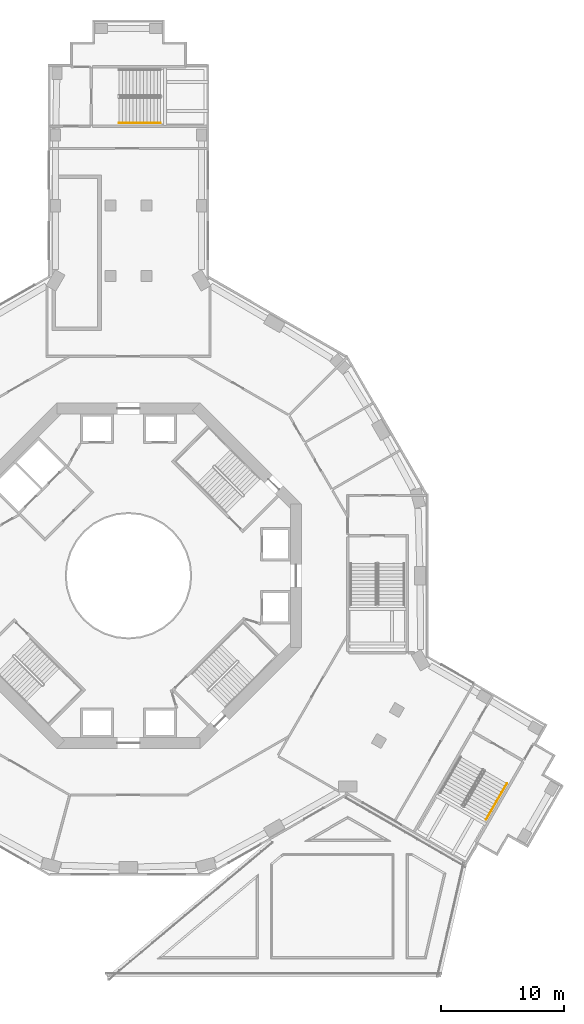
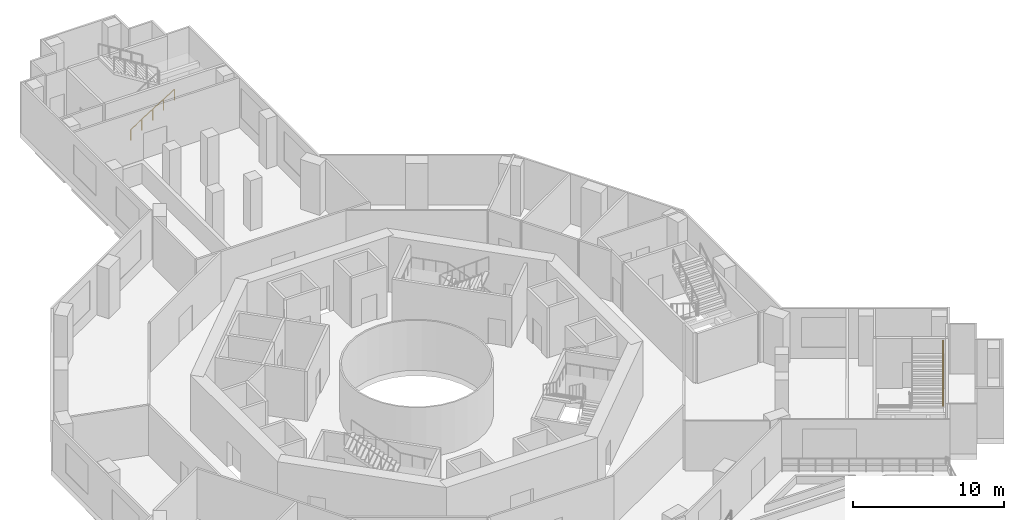
# One storey, part 20 of 21: 2 railings.
"""IFC4 building model written with IfcOpenShell, lengths in metres."""

import ifcopenshell
import ifcopenshell.guid

model = None  # the IFC model being written
_history = None  # IfcOwnerHistory: only IFC2X3 demands one
_inside = {}  # id of a spatial element -> (the spatial element, [elements in it])
_under = {}  # id of a project, library or spatial element -> (it, [spatial elements below it])
_declared = {}  # id of a project -> (the project, [libraries it declares])
_typed = {}  # id of a type object -> (the type object, [elements of that type])
_made_of = {}  # id of a material, layer set ... -> (it, [elements and type objects made of it])


def new_model(schema):
    """Start an empty IFC model of exactly this schema.

    Asked for "IFC4X3", IfcOpenShell would pick the latest addendum, in which some entities
    have other attributes; the version numbers below select the first issue.
    IFC2X3 requires an IfcOwnerHistory on every rooted entity: one is made here for all.
    """
    global model, _history
    if schema == "IFC4X3":
        model = ifcopenshell.file(schema_version=(4, 3, 0, 0))
    else:
        model = ifcopenshell.file(schema=schema)
    _inside.clear()
    _under.clear()
    _declared.clear()
    _typed.clear()
    _made_of.clear()
    _history = None
    if model.schema == "IFC2X3":
        org = make("IfcOrganization", Name="unknown")
        user = make(
            "IfcPersonAndOrganization",
            ThePerson=make("IfcPerson", FamilyName="unknown"),
            TheOrganization=org,
        )
        app = make(
            "IfcApplication",
            ApplicationDeveloper=org,
            Version="unknown",
            ApplicationFullName="unknown",
            ApplicationIdentifier="unknown",
        )
        _history = make(
            "IfcOwnerHistory",
            OwningUser=user,
            OwningApplication=app,
            ChangeAction="ADDED",
            CreationDate=0,
        )
    return model


def make(cls, **values):
    """One entity of the class cls with the attributes given. An attribute that is None is left unset."""
    return model.create_entity(
        cls, **{name: value for name, value in values.items() if value is not None}
    )


def rooted(cls, **values):
    """An entity with a GlobalId (a new one), such as an element, a storey or a relation."""
    return make(cls, GlobalId=ifcopenshell.guid.new(), OwnerHistory=_history, **values)


def si_unit(unit_type, name, prefix=None):
    """IfcSIUnit, for example si_unit("LENGTHUNIT", "METRE", prefix="MILLI")."""
    return make("IfcSIUnit", UnitType=unit_type, Prefix=prefix, Name=name)


def assignment(units):
    """IfcUnitAssignment: the units of a project."""
    return None if units is None else make("IfcUnitAssignment", Units=units)


def point(xyz):
    """IfcCartesianPoint."""
    return None if xyz is None else make("IfcCartesianPoint", Coordinates=xyz)


def direction(xyz):
    """IfcDirection."""
    return None if xyz is None else make("IfcDirection", DirectionRatios=xyz)


def frame(location, z_axis=None, x_axis=None):
    """IfcAxis2Placement3D, a coordinate frame: its origin and axes. An axis left out is left unset."""
    return make(
        "IfcAxis2Placement3D",
        Location=point(location),
        Axis=direction(z_axis),
        RefDirection=direction(x_axis),
    )


def frame_2d(location, x_axis=None):
    """IfcAxis2Placement2D, a coordinate frame in the plane: its origin and x axis."""
    return make(
        "IfcAxis2Placement2D", Location=point(location), RefDirection=direction(x_axis)
    )


def origin():
    """The frame at (0, 0, 0) with its axes left unset."""
    return frame((0.0, 0.0, 0.0))


def origin_2d():
    """The frame at (0, 0) in the plane with its x axis left unset."""
    return frame_2d((0.0, 0.0))


def place(relative_to, where):
    """IfcLocalPlacement: puts the frame where relative to a parent placement (None: the world)."""
    return make(
        "IfcLocalPlacement", PlacementRelTo=relative_to, RelativePlacement=where
    )


def context(
    kind, dimensions, precision=None, world=None, true_north=None, identifier=None
):
    """IfcGeometricRepresentationContext, for example the 3D "Model" context."""
    return make(
        "IfcGeometricRepresentationContext",
        ContextIdentifier=identifier,
        ContextType=kind,
        CoordinateSpaceDimension=dimensions,
        Precision=precision,
        WorldCoordinateSystem=world,
        TrueNorth=true_north,
    )


def subcontext(parent, identifier, kind, view, scale=None):
    """IfcGeometricRepresentationSubContext, for example "Body" below "Model"."""
    return make(
        "IfcGeometricRepresentationSubContext",
        ContextIdentifier=identifier,
        ContextType=kind,
        ParentContext=parent,
        TargetScale=scale,
        TargetView=view,
    )


def project(units=None, contexts=None):
    """IfcProject with its units and contexts."""
    return rooted(
        "IfcProject",
        Name="project",
        RepresentationContexts=contexts,
        UnitsInContext=assignment(units),
    )


def spatial(cls, under=None, at=None, **own):
    """A site, building, storey or space (cls), placed at a placement, below another one or the project."""
    s = rooted(cls, ObjectPlacement=at, **own)
    if under is not None:
        _under.setdefault(under.id(), (under, []))[1].append(s)
    return s


def profile(cls, at=None, kind="AREA", **sizes):
    """A parametric profile (cls). Its sizes go by their IFC names, for example OverallWidth=200.0."""
    return make(cls, ProfileType=kind, Position=at, **sizes)


def circle(**sizes):
    """IfcCircleProfileDef."""
    return profile("IfcCircleProfileDef", **sizes)


def extrude(swept, where, along, depth):
    """IfcExtrudedAreaSolid: the profile swept, set in the frame where, extruded along a direction by depth."""
    return make(
        "IfcExtrudedAreaSolid",
        SweptArea=swept,
        Position=where,
        ExtrudedDirection=direction(along),
        Depth=depth,
    )


def shape(context_of_items, identifier, shape_type, items):
    """IfcShapeRepresentation: the items that make up one representation, for example the "Body"."""
    return make(
        "IfcShapeRepresentation",
        ContextOfItems=context_of_items,
        RepresentationIdentifier=identifier,
        RepresentationType=shape_type,
        Items=items,
    )


def material(Name=None, Category=None):
    """IfcMaterial."""
    return make("IfcMaterial", Name=Name, Category=Category)


def made_of(thing, what):
    """Note that an element or type object is made of a material, layer set ...; save() writes the relation."""
    if what is not None:
        _made_of.setdefault(what.id(), (what, []))[1].append(thing)
    return thing


def type_object(cls, material=None, **own):
    """A type object (cls), such as IfcWallType, which elements share."""
    return made_of(rooted(cls, **own), material)


def element(
    cls,
    number,
    at=None,
    inside=None,
    cuts=None,
    type_object=None,
    material=None,
    context=None,
    identifier="Body",
    shape_type=None,
    held_by="IfcProductDefinitionShape",
    body=None,
    shapes=None,
    **own,
):
    """One element of the class cls, such as IfcWall. Its Tag is "e" and its number.

    at: its placement. inside: the storey or other place that contains it. cuts: it is an
    opening in that element (IfcRelVoidsElement). A single representation is given by context,
    identifier, shape_type and body (its items); several are given by shapes. held_by: the class
    of the entity that holds the representations. save() writes the other relations.
    """
    e = rooted(cls, Tag="e%d" % number, ObjectPlacement=at, **own)
    if body is not None:
        shapes = [shape(context, identifier, shape_type, body)]
    if shapes is not None:
        e.Representation = make(held_by, Representations=shapes)
    if inside is not None:
        _inside.setdefault(inside.id(), (inside, []))[1].append(e)
    if cuts is not None:
        rooted(
            "IfcRelVoidsElement", RelatingBuildingElement=cuts, RelatedOpeningElement=e
        )
    if type_object is not None:
        _typed.setdefault(type_object.id(), (type_object, []))[1].append(e)
    return made_of(e, material)


def aggregate(whole, parts):
    """IfcRelAggregates: a whole, such as a stair, and the parts it consists of."""
    return rooted("IfcRelAggregates", RelatingObject=whole, RelatedObjects=parts)


def save(model, path):
    """Write the relations noted so far, then the file.

    IfcRelAggregates (storeys below a building ...), IfcRelContainedInSpatialStructure (elements
    in a storey), IfcRelDefinesByType, IfcRelAssociatesMaterial and IfcRelDeclares: one each for
    every whole, place, type object, material and project.
    """
    for whole, parts in _under.values():
        aggregate(whole, parts)
    for where, things in _inside.values():
        rooted(
            "IfcRelContainedInSpatialStructure",
            RelatedElements=things,
            RelatingStructure=where,
        )
    for kind, things in _typed.values():
        rooted("IfcRelDefinesByType", RelatedObjects=things, RelatingType=kind)
    for what, things in _made_of.values():
        rooted("IfcRelAssociatesMaterial", RelatedObjects=things, RelatingMaterial=what)
    for by, libraries in _declared.values():
        rooted("IfcRelDeclares", RelatingContext=by, RelatedDefinitions=libraries)
    model.write(path)


model = new_model("IFC4")

# Units and contexts
model_context = context("Model", 3, precision=1e-05, world=origin(), true_north=direction((0.0, 1.0)))
body_context = subcontext(model_context, "Body", "Model", "MODEL_VIEW")
ifc_project = project(units=[si_unit("LENGTHUNIT", "METRE"), si_unit("AREAUNIT", "SQUARE_METRE"), si_unit("VOLUMEUNIT", "CUBIC_METRE"), si_unit("PLANEANGLEUNIT", "RADIAN"), si_unit("MASSUNIT", "GRAM", prefix="KILO")], contexts=[model_context])

# Site, building, storey
site_placement = place(None, origin())
site = spatial("IfcSite", under=ifc_project, at=site_placement, CompositionType="ELEMENT")
building_placement = place(site_placement, origin())
building = spatial("IfcBuilding", under=site, at=building_placement, Name="Verdalira Terraces Hotel", CompositionType="ELEMENT")
storey_placement = place(building_placement, frame((0.0, 0.0, 19.0)))
storey = spatial("IfcBuildingStorey", under=building, at=storey_placement, Name="L03", CompositionType="ELEMENT", Elevation=19.0)

# Railings
ifc_material = material(Name="Stainless steel", Category="steel")
railing_type = type_object("IfcRailingType", Name="Stair handrail 900", PredefinedType="HANDRAIL", material=ifc_material)
railing_1_placement = place(storey_placement, frame((-0.75, 36.649902, 0.173096)))
element("IfcRailing", 1, at=railing_1_placement, inside=storey, type_object=railing_type, Name="L03 PS1 stair handrail 1", PredefinedType="HANDRAIL", context=body_context, shape_type="SweptSolid", body=[
    extrude(circle(Radius=0.023926, at=origin_2d()), frame((0.0, 0.0, 0.875977), z_axis=(0.850623217, 0.0, 0.525775754), x_axis=(0.0, 1.0, 0.0)), (0.0, 0.0, 1.0), 3.950195),
    extrude(circle(Radius=0.020996, at=origin_2d()), origin(), (0.0, 0.0, 1.0), 0.851807),
    extrude(circle(Radius=0.020996, at=origin_2d()), frame((0.840088, 0.0, 0.519287)), (0.0, 0.0, 1.0), 0.851807),
    extrude(circle(Radius=0.020996, at=origin_2d()), frame((1.680176, 0.0, 1.038574)), (0.0, 0.0, 1.0), 0.851807),
    extrude(circle(Radius=0.020996, at=origin_2d()), frame((2.52002, 0.0, 1.557617)), (0.0, 0.0, 1.0), 0.851807),
    extrude(circle(Radius=0.020996, at=origin_2d()), frame((3.360107, 0.0, 2.076904)), (0.0, 0.0, 1.0), 0.851807),
])
railing_2_placement = place(storey_placement, frame((28.962646, -19.735352, 2.423096)))
element("IfcRailing", 2, at=railing_2_placement, inside=storey, type_object=railing_type, Name="L03 PS3 stair handrail 2", PredefinedType="HANDRAIL", context=body_context, shape_type="SweptSolid", body=[
    extrude(circle(Radius=0.023926, at=origin_2d()), frame((0.0, 0.0, 0.875977), z_axis=(0.425288379, 0.736667954, 0.525785241), x_axis=(-0.86603918, 0.499976139, 0.0)), (0.0, 0.0, 1.0), 3.950195),
    extrude(circle(Radius=0.020996, at=origin_2d()), origin(), (0.0, 0.0, 1.0), 0.851807),
    extrude(circle(Radius=0.020996, at=origin_2d()), frame((0.419922, 0.727539, 0.519287)), (0.0, 0.0, 1.0), 0.851807),
    extrude(circle(Radius=0.020996, at=origin_2d()), frame((0.839844, 1.455078, 1.038574)), (0.0, 0.0, 1.0), 0.851807),
    extrude(circle(Radius=0.020996, at=origin_2d()), frame((1.26001, 2.182373, 1.557617)), (0.0, 0.0, 1.0), 0.851807),
    extrude(circle(Radius=0.020996, at=origin_2d()), frame((1.679932, 2.909912, 2.076904)), (0.0, 0.0, 1.0), 0.851807),
])

save(model, "model.ifc")
